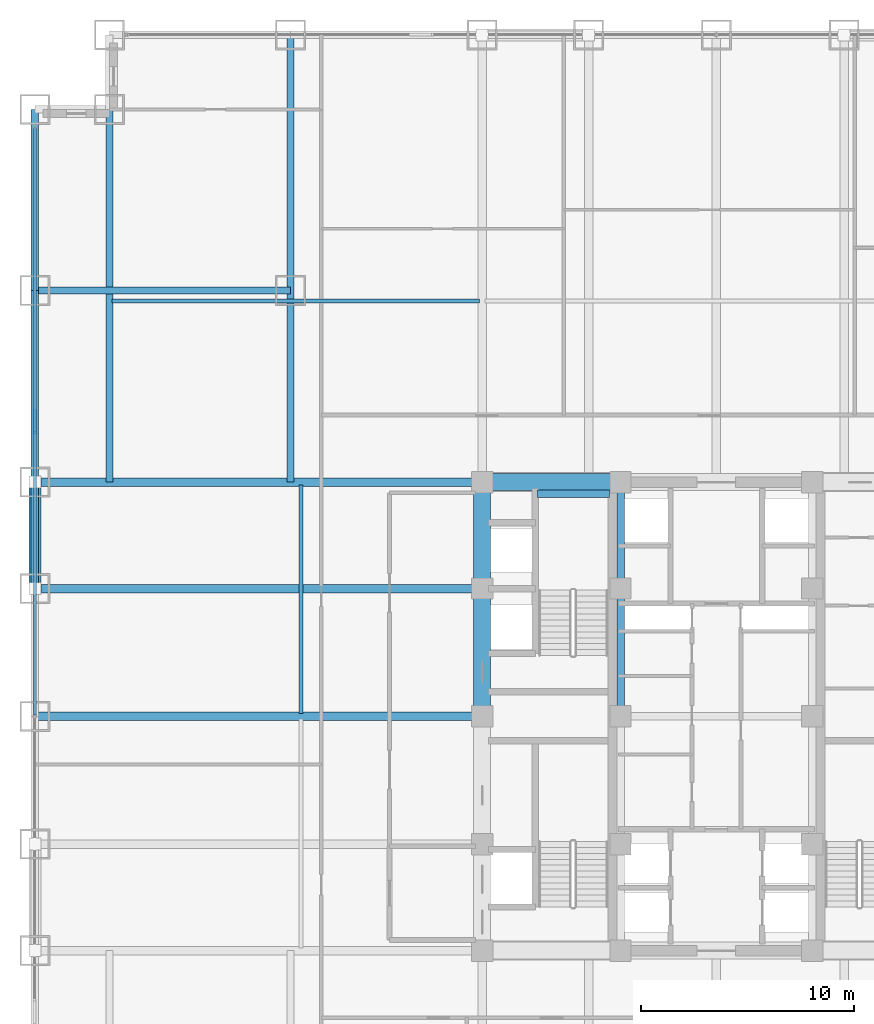
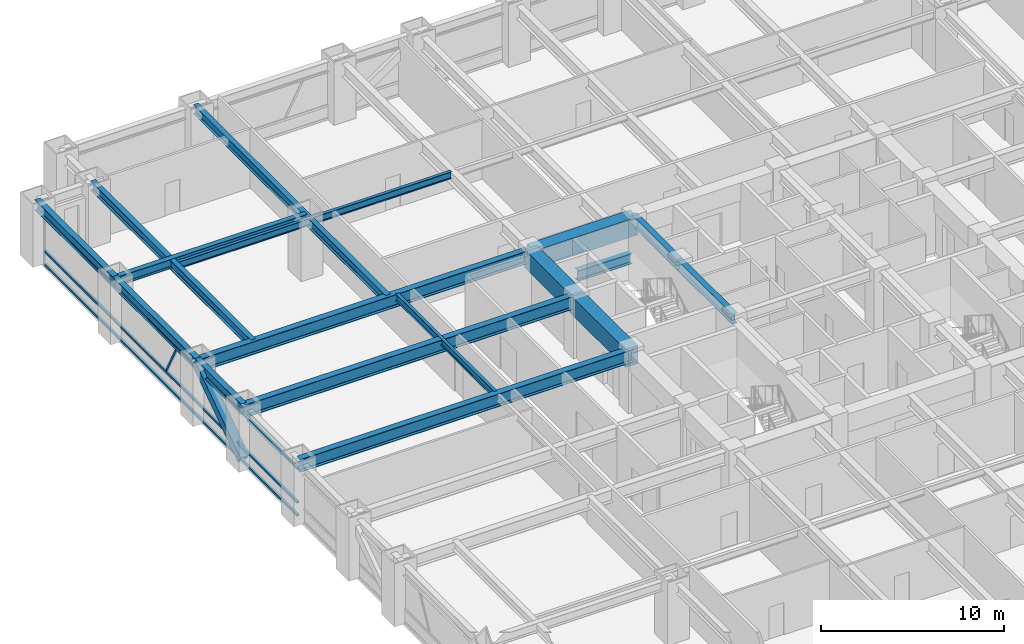
# One storey, part 9 of 28: 17 beams, 5 members, 1 element without a shape of its own.
"""IFC4 building model written with IfcOpenShell, lengths in metres."""

from ifc_helpers import new_model, si_unit, direction, frame, origin, origin_2d, place, context, subcontext, project, spatial, rectangle, hollow_rectangle, i_section, extrude, source, transform, mapped, material, material_profile, profile_set, type_object, element, aggregate, save


model = new_model("IFC4")

# Units and contexts
model_context = context("Model", 3, precision=1e-05, world=origin(), true_north=direction((0.0, 1.0)))
body_context = subcontext(model_context, "Body", "Model", "MODEL_VIEW")
ifc_project = project(units=[si_unit("LENGTHUNIT", "METRE"), si_unit("AREAUNIT", "SQUARE_METRE"), si_unit("VOLUMEUNIT", "CUBIC_METRE"), si_unit("PLANEANGLEUNIT", "RADIAN"), si_unit("MASSUNIT", "GRAM", prefix="KILO")], contexts=[model_context])

# Site, building, storey
site_placement = place(None, origin())
site = spatial("IfcSite", under=ifc_project, at=site_placement, CompositionType="ELEMENT")
building_placement = place(site_placement, origin())
building = spatial("IfcBuilding", under=site, at=building_placement, Name="Khorayat Bourse Tower", CompositionType="ELEMENT")
storey_placement = place(building_placement, frame((0.0, 0.0, 83.0)))
storey = spatial("IfcBuildingStorey", under=building, at=storey_placement, Name="L18", CompositionType="ELEMENT", Elevation=83.0)

# Beams
ifc_material_1 = material(Name="Concrete C72/90", Category="concrete")
ifc_material_profile_1 = material_profile(ifc_material_1, rectangle(XDim=0.800048828125, YDim=1.199951171875, at=origin_2d()), Name="RC 800x1200")
ifc_profile_set_1 = profile_set([ifc_material_profile_1], Name="Concrete C72/90")
beam_type_1 = type_object("IfcBeamType", Name="BM-COUP-1200", PredefinedType="BEAM", material=ifc_profile_set_1)
shared_shape_1 = source(origin(), body_context, "Body", "SweptSolid", [
    extrude(rectangle(XDim=0.800048828125, YDim=1.199951171875, at=origin_2d()), origin(), (0.0, 0.0, 1.0), 5.0),
])
beam_1_placement = place(storey_placement, frame((-11.0, 6.0, 3.340087890625), z_axis=(0.0, 1.0, 0.0), x_axis=(-1.0, 0.0, 0.0)))
element("IfcBeam", 1, at=beam_1_placement, inside=storey, type_object=beam_type_1, Name="L18 BM-COUP-1200 BM-L18-CRX-04", PredefinedType="BEAM", context=body_context, shape_type="MappedRepresentation", body=[
    mapped(shared_shape_1, transform((0.0, 0.0, 0.0), scale=1.0)),
])
shared_shape_2 = source(origin(), body_context, "Body", "SweptSolid", [
    extrude(rectangle(XDim=0.800048828125, YDim=1.199951171875, at=origin_2d()), origin(), (0.0, 0.0, 1.0), 6.0),
])
beam_2_placement = place(storey_placement, frame((-11.0, 0.0, 3.340087890625), z_axis=(0.0, 1.0, 0.0), x_axis=(-1.0, 0.0, 0.0)))
element("IfcBeam", 2, at=beam_2_placement, inside=storey, type_object=beam_type_1, Name="L18 BM-COUP-1200 BM-L18-CRX-03", PredefinedType="BEAM", context=body_context, shape_type="MappedRepresentation", body=[
    mapped(shared_shape_2, transform((0.0, 0.0, 0.0), scale=1.0)),
])
ifc_material_2 = material(Name="Steel ASTM A992 Grade 50", Category="steel")
ifc_material_profile_2 = material_profile(ifc_material_2, i_section(OverallWidth=0.35498046875, OverallDepth=0.695068359375, WebThickness=0.015380859375, FlangeThickness=0.02490234375, FilletRadius=0.01806640625, at=origin_2d()), Name="W690X217")
ifc_profile_set_2 = profile_set([ifc_material_profile_2], Name="Steel ASTM A992 Grade 50")
beam_type_2 = type_object("IfcBeamType", Name="BM-GIRD-690", PredefinedType="BEAM", material=ifc_profile_set_2)
shared_shape_3 = source(origin(), body_context, "Body", "SweptSolid", [
    extrude(i_section(OverallWidth=0.35498046875, OverallDepth=0.695068359375, WebThickness=0.015380859375, FlangeThickness=0.02490234375, FilletRadius=0.01806640625, at=origin_2d()), origin(), (0.0, 0.0, 1.0), 5.0),
])
beam_3_placement = place(storey_placement, frame((-4.5, 6.0, 3.592529296875), z_axis=(0.0, 1.0, 0.0), x_axis=(-1.0, 0.0, 0.0)))
element("IfcBeam", 3, at=beam_3_placement, inside=storey, type_object=beam_type_2, Name="L18 BM-GIRD-690 BM-L18-CRX-08", PredefinedType="BEAM", context=body_context, shape_type="MappedRepresentation", body=[
    mapped(shared_shape_3, transform((0.0, 0.0, 0.0), scale=1.0)),
])
shared_shape_4 = source(origin(), body_context, "Body", "SweptSolid", [
    extrude(i_section(OverallWidth=0.35498046875, OverallDepth=0.695068359375, WebThickness=0.015380859375, FlangeThickness=0.02490234375, FilletRadius=0.01806640625, at=origin_2d()), origin(), (0.0, 0.0, 1.0), 6.0),
])
beam_4_placement = place(storey_placement, frame((-4.5, 0.0, 3.592529296875), z_axis=(0.0, 1.0, 0.0), x_axis=(-1.0, 0.0, 0.0)))
element("IfcBeam", 4, at=beam_4_placement, inside=storey, type_object=beam_type_2, Name="L18 BM-GIRD-690 BM-L18-CRX-07", PredefinedType="BEAM", context=body_context, shape_type="MappedRepresentation", body=[
    mapped(shared_shape_4, transform((0.0, 0.0, 0.0), scale=1.0)),
])
shared_shape_5 = source(origin(), body_context, "Body", "SweptSolid", [
    extrude(rectangle(XDim=0.800048828125, YDim=1.199951171875, at=origin_2d()), origin(), (0.0, 0.0, 1.0), 6.5),
])
beam_5_placement = place(storey_placement, frame((-11.0, 11.0, 3.340087890625), z_axis=(1.0, 0.0, 0.0), x_axis=(0.0, 1.0, 0.0)))
element("IfcBeam", 5, at=beam_5_placement, inside=storey, type_object=beam_type_1, Name="L18 BM-COUP-1200 BM-L18-CRY-20", PredefinedType="BEAM", context=body_context, shape_type="MappedRepresentation", body=[
    mapped(shared_shape_5, transform((0.0, 0.0, 0.0), scale=1.0)),
])
shared_shape_6 = source(origin(), body_context, "Body", "SweptSolid", [
    extrude(i_section(OverallWidth=0.35498046875, OverallDepth=0.695068359375, WebThickness=0.015380859375, FlangeThickness=0.02490234375, FilletRadius=0.01806640625, at=origin_2d()), origin(), (0.0, 0.0, 1.0), 3.39990234375),
])
beam_6_placement = place(storey_placement, frame((-8.419921875, 10.449951171875, 1.552490234375), z_axis=(1.0, 0.0, 0.0), x_axis=(0.0, 1.0, 0.0)))
element("IfcBeam", 6, at=beam_6_placement, inside=storey, type_object=beam_type_2, Name="L18 BM-GIRD-690 BM-L18-ST2L", PredefinedType="BEAM", context=body_context, shape_type="MappedRepresentation", body=[
    mapped(shared_shape_6, transform((0.0, 0.0, 0.0), scale=1.0)),
])
ifc_material_profile_3 = material_profile(ifc_material_2, i_section(OverallWidth=0.35498046875, OverallDepth=0.695068359375, WebThickness=0.015380859375, FlangeThickness=0.02490234375, FilletRadius=0.01806640625, at=origin_2d()), Name="W690X217")
ifc_profile_set_3 = profile_set([ifc_material_profile_3], Name="Steel ASTM A992 Grade 50")
beam_type_3 = type_object("IfcBeamType", Name="BM-SPAN-690", PredefinedType="SPANDREL", material=ifc_profile_set_3)
shared_shape_7 = source(origin(), body_context, "Body", "SweptSolid", [
    extrude(i_section(OverallWidth=0.35498046875, OverallDepth=0.695068359375, WebThickness=0.015380859375, FlangeThickness=0.02490234375, FilletRadius=0.01806640625, at=origin_2d()), origin(), (0.0, 0.0, 1.0), 8.5),
])
beam_7_placement = place(storey_placement, frame((-32.0, 20.0, 3.592529296875), z_axis=(0.0, 1.0, 0.0), x_axis=(-1.0, 0.0, 0.0)))
element("IfcBeam", 7, at=beam_7_placement, inside=storey, type_object=beam_type_3, Name="L18 BM-SPAN-690 BM-L18-SPN-054", PredefinedType="SPANDREL", context=body_context, shape_type="MappedRepresentation", body=[
    mapped(shared_shape_7, transform((0.0, 0.0, 0.0), scale=1.0)),
])
shared_shape_8 = source(origin(), body_context, "Body", "SweptSolid", [
    extrude(i_section(OverallWidth=0.35498046875, OverallDepth=0.695068359375, WebThickness=0.015380859375, FlangeThickness=0.02490234375, FilletRadius=0.01806640625, at=origin_2d()), origin(), (0.0, 0.0, 1.0), 9.0),
])
beam_8_placement = place(storey_placement, frame((-32.0, 11.0, 3.592529296875), z_axis=(0.0, 1.0, 0.0), x_axis=(-1.0, 0.0, 0.0)))
element("IfcBeam", 8, at=beam_8_placement, inside=storey, type_object=beam_type_3, Name="L18 BM-SPAN-690 BM-L18-SPN-055", PredefinedType="SPANDREL", context=body_context, shape_type="MappedRepresentation", body=[
    mapped(shared_shape_8, transform((0.0, 0.0, 0.0), scale=1.0)),
])
shared_shape_9 = source(origin(), body_context, "Body", "SweptSolid", [
    extrude(i_section(OverallWidth=0.35498046875, OverallDepth=0.695068359375, WebThickness=0.015380859375, FlangeThickness=0.02490234375, FilletRadius=0.01806640625, at=origin_2d()), origin(), (0.0, 0.0, 1.0), 5.0),
])
beam_9_placement = place(storey_placement, frame((-32.0, 6.0, 3.592529296875), z_axis=(0.0, 1.0, 0.0), x_axis=(-1.0, 0.0, 0.0)))
element("IfcBeam", 9, at=beam_9_placement, inside=storey, type_object=beam_type_3, Name="L18 BM-SPAN-690 BM-L18-SPN-056", PredefinedType="SPANDREL", context=body_context, shape_type="MappedRepresentation", body=[
    mapped(shared_shape_9, transform((0.0, 0.0, 0.0), scale=1.0)),
])
ifc_material_profile_4 = material_profile(ifc_material_2, i_section(OverallWidth=0.39990234375, OverallDepth=0.85498046875, WebThickness=0.018310546875, FlangeThickness=0.029296875, FilletRadius=0.02001953125, at=origin_2d()), Name="W840X299")
ifc_profile_set_4 = profile_set([ifc_material_profile_4], Name="Steel ASTM A992 Grade 50")
beam_type_4 = type_object("IfcBeamType", Name="BM-GIRD-840", PredefinedType="BEAM", material=ifc_profile_set_4)
shared_shape_10 = source(origin(), body_context, "Body", "SweptSolid", [
    extrude(i_section(OverallWidth=0.39990234375, OverallDepth=0.85498046875, WebThickness=0.018310546875, FlangeThickness=0.029296875, FilletRadius=0.02001953125, at=origin_2d()), origin(), (0.0, 0.0, 1.0), 21.0),
])
for number, where, z_axis, x_axis, name in (
    (10, (-32.0, 0.0, 3.512451171875), (1.0, 0.0, 0.0), (0.0, 1.0, 0.0), "L18 BM-GIRD-840 BM-L18-RADX-079"),
    (11, (-32.0, 6.0, 3.512451171875), (1.0, 0.0, 0.0), (0.0, 1.0, 0.0), "L18 BM-GIRD-840 BM-L18-RADX-081"),
    (12, (-32.0, 11.0, 3.512451171875), (1.0, 0.0, 0.0), (0.0, 1.0, 0.0), "L18 BM-GIRD-840 BM-L18-RADX-083"),
):
    element("IfcBeam", number, at=place(storey_placement, frame(where, z_axis=z_axis, x_axis=x_axis)), inside=storey, type_object=beam_type_4, Name=name, PredefinedType="BEAM", context=body_context, shape_type="MappedRepresentation", body=[
        mapped(shared_shape_10, transform((0.0, 0.0, 0.0), scale=1.0)),
    ])
ifc_material_profile_5 = material_profile(ifc_material_2, i_section(OverallWidth=0.324951171875, OverallDepth=0.615966796875, WebThickness=0.013916015625, FlangeThickness=0.021484375, FilletRadius=0.01611328125, at=origin_2d()), Name="W610X174")
ifc_profile_set_5 = profile_set([ifc_material_profile_5], Name="Steel ASTM A992 Grade 50")
beam_type_5 = type_object("IfcBeamType", Name="BM-GIRD-610", PredefinedType="BEAM", material=ifc_profile_set_5)
shared_shape_11 = source(origin(), body_context, "Body", "SweptSolid", [
    extrude(i_section(OverallWidth=0.324951171875, OverallDepth=0.615966796875, WebThickness=0.013916015625, FlangeThickness=0.021484375, FilletRadius=0.01611328125, at=origin_2d()), origin(), (0.0, 0.0, 1.0), 21.0),
])
beam_10_placement = place(storey_placement, frame((-20.0, 11.0, 3.632080078125), z_axis=(0.0, 1.0, 0.0), x_axis=(-1.0, 0.0, 0.0)))
element("IfcBeam", 13, at=beam_10_placement, inside=storey, type_object=beam_type_5, Name="L18 BM-GIRD-610 BM-L18-CNRY-085", PredefinedType="BEAM", context=body_context, shape_type="MappedRepresentation", body=[
    mapped(shared_shape_11, transform((0.0, 0.0, 0.0), scale=1.0)),
])
shared_shape_12 = source(origin(), body_context, "Body", "SweptSolid", [
    extrude(i_section(OverallWidth=0.324951171875, OverallDepth=0.615966796875, WebThickness=0.013916015625, FlangeThickness=0.021484375, FilletRadius=0.01611328125, at=origin_2d()), origin(), (0.0, 0.0, 1.0), 17.5),
])
beam_11_placement = place(storey_placement, frame((-28.5, 11.0, 3.632080078125), z_axis=(0.0, 1.0, 0.0), x_axis=(-1.0, 0.0, 0.0)))
element("IfcBeam", 14, at=beam_11_placement, inside=storey, type_object=beam_type_5, Name="L18 BM-GIRD-610 BM-L18-CNRY-089", PredefinedType="BEAM", context=body_context, shape_type="MappedRepresentation", body=[
    mapped(shared_shape_12, transform((0.0, 0.0, 0.0), scale=1.0)),
])
shared_shape_13 = source(origin(), body_context, "Body", "SweptSolid", [
    extrude(i_section(OverallWidth=0.324951171875, OverallDepth=0.615966796875, WebThickness=0.013916015625, FlangeThickness=0.021484375, FilletRadius=0.01611328125, at=origin_2d()), origin(), (0.0, 0.0, 1.0), 12.0),
])
beam_12_placement = place(storey_placement, frame((-32.0, 20.0, 3.632080078125), z_axis=(1.0, 0.0, 0.0), x_axis=(0.0, 1.0, 0.0)))
element("IfcBeam", 15, at=beam_12_placement, inside=storey, type_object=beam_type_5, Name="L18 BM-GIRD-610 BM-L18-CNRX-095", PredefinedType="BEAM", context=body_context, shape_type="MappedRepresentation", body=[
    mapped(shared_shape_13, transform((0.0, 0.0, 0.0), scale=1.0)),
])
ifc_material_profile_6 = material_profile(ifc_material_2, i_section(OverallWidth=0.194091796875, OverallDepth=0.468994140625, WebThickness=0.0126953125, FlangeThickness=0.0205078125, FilletRadius=0.012939453125, at=origin_2d()), Name="W460X106")
ifc_profile_set_6 = profile_set([ifc_material_profile_6], Name="Steel ASTM A992 Grade 50")
beam_type_6 = type_object("IfcBeamType", Name="BM-JOIST-460", PredefinedType="JOIST", material=ifc_profile_set_6)
shared_shape_14 = source(origin(), body_context, "Body", "SweptSolid", [
    extrude(i_section(OverallWidth=0.194091796875, OverallDepth=0.468994140625, WebThickness=0.0126953125, FlangeThickness=0.0205078125, FilletRadius=0.012939453125, at=origin_2d()), origin(), (0.0, 0.0, 1.0), 17.240234375),
])
beam_13_placement = place(storey_placement, frame((-28.3701171875, 19.5, 3.70556640625), z_axis=(1.0, 0.0, 0.0), x_axis=(0.0, 1.0, 0.0)))
element("IfcBeam", 16, at=beam_13_placement, inside=storey, type_object=beam_type_6, Name="L18 BM-JOIST-460 BM-L18-JSTX-099", PredefinedType="JOIST", context=body_context, shape_type="MappedRepresentation", body=[
    mapped(shared_shape_14, transform((0.0, 0.0, 0.0), scale=1.0)),
])
shared_shape_15 = source(origin(), body_context, "Body", "SweptSolid", [
    extrude(i_section(OverallWidth=0.194091796875, OverallDepth=0.468994140625, WebThickness=0.0126953125, FlangeThickness=0.0205078125, FilletRadius=0.012939453125, at=origin_2d()), origin(), (0.0, 0.0, 1.0), 10.740234375),
])
beam_14_placement = place(storey_placement, frame((-19.5, 0.1298828125, 3.70556640625), z_axis=(0.0, 1.0, 0.0), x_axis=(-1.0, 0.0, 0.0)))
element("IfcBeam", 17, at=beam_14_placement, inside=storey, type_object=beam_type_6, Name="L18 BM-JOIST-460 BM-L18-JSTY-103", PredefinedType="JOIST", context=body_context, shape_type="MappedRepresentation", body=[
    mapped(shared_shape_15, transform((0.0, 0.0, 0.0), scale=1.0)),
])

# Member
ifc_material_3 = material(Name="Steel EN 10025-4 S460M", Category="steel")
ifc_material_profile_7 = material_profile(ifc_material_3, hollow_rectangle(XDim=0.550048828125, YDim=0.550048828125, WallThickness=0.031982421875, at=origin_2d()), Name="HSS 550x550x32")
ifc_profile_set_7 = profile_set([ifc_material_profile_7], Name="Steel EN 10025-4 S460M")
member_type_1 = type_object("IfcMemberType", Name="MBR-TUBE-550", PredefinedType="BRACE", material=ifc_profile_set_7)
shared_shape_16 = source(origin(), body_context, "Body", "SweptSolid", [
    extrude(hollow_rectangle(XDim=0.550048828125, YDim=0.550048828125, WallThickness=0.031982421875, at=origin_2d()), origin(), (0.0, 0.0, 1.0), 6.069091796875),
])
member_1_placement = place(storey_placement, frame((-32.0, 6.0, 0.25), z_axis=(0.0, 0.823854080622, 0.566801952928), x_axis=(-1.0, 0.0, 0.0)))
element("IfcMember", 18, at=member_1_placement, inside=storey, type_object=member_type_1, Name="L18 Perimeter Tube Brace 06", PredefinedType="BRACE", context=body_context, shape_type="MappedRepresentation", body=[
    mapped(shared_shape_16, transform((0.0, 0.0, 0.0), scale=1.0)),
])

# Curtain wall, members
ifc_material_4 = material(Name="Aluminium EN AW-6063 T6", Category="aluminium")
curtain_wall_type = type_object("IfcCurtainWallType", Name="CW-SYS-02", PredefinedType="NOTDEFINED", material=ifc_material_4)
curtain_wall_placement = place(storey_placement, origin())
curtain_wall = element("IfcCurtainWall", 19, at=curtain_wall_placement, inside=storey, type_object=curtain_wall_type, Name="L18 Curtain Wall CW-L18-W1", PredefinedType="NOTDEFINED")
ifc_material_profile_8 = material_profile(ifc_material_4, hollow_rectangle(XDim=0.1201171875, YDim=0.1201171875, WallThickness=0.0048828125, at=origin_2d()), Name="ALU 120x120x5")
ifc_profile_set_8 = profile_set([ifc_material_profile_8], Name="Aluminium EN AW-6063 T6")
member_type_2 = type_object("IfcMemberType", Name="CWM-DIAG-120", PredefinedType="MULLION", material=ifc_profile_set_8)
shared_shape_17 = source(origin(), body_context, "Body", "SweptSolid", [
    extrude(hollow_rectangle(XDim=0.1201171875, YDim=0.1201171875, WallThickness=0.0048828125, at=origin_2d()), origin(), (0.0, 0.0, 1.0), 2.22607421875),
])
member_2_placement = place(storey_placement, frame((-32.0, 14.3583984375, 1.10009765625), z_axis=(0.0, -0.465759992596, 0.884911085532), x_axis=(1.0, 0.0, 0.0)))
member_2 = element("IfcMember", 20, at=member_2_placement, type_object=member_type_2, Name="CW-L18-W1 Faceted Diagonal Mullion 2", PredefinedType="MULLION", context=body_context, shape_type="MappedRepresentation", body=[
    mapped(shared_shape_17, transform((0.0, 0.0, 0.0), scale=1.0)),
])
ifc_material_profile_9 = material_profile(ifc_material_4, hollow_rectangle(XDim=0.139892578125, YDim=0.139892578125, WallThickness=0.006103515625, at=origin_2d()), Name="ALU 140x140x6")
ifc_profile_set_9 = profile_set([ifc_material_profile_9], Name="Aluminium EN AW-6063 T6")
member_type_3 = type_object("IfcMemberType", Name="CWT-HORZ-140", PredefinedType="USERDEFINED", material=ifc_profile_set_9)
shared_shape_18 = source(origin(), body_context, "Body", "SweptSolid", [
    extrude(hollow_rectangle(XDim=0.139892578125, YDim=0.139892578125, WallThickness=0.006103515625, at=origin_2d()), origin(), (0.0, 0.0, 1.0), 27.5400390625),
])
member_3_placement = place(storey_placement, frame((-32.0, 0.070068359375, 0.070068359375), z_axis=(0.0, 1.0, 0.0), x_axis=(-1.0, 0.0, 0.0)))
member_3 = element("IfcMember", 21, at=member_3_placement, type_object=member_type_3, Name="CW-L18-W1 Horizontal Transom 2-1", ObjectType="TRANSOM", PredefinedType="USERDEFINED", context=body_context, shape_type="MappedRepresentation", body=[
    mapped(shared_shape_18, transform((0.0, 0.0, 0.0), scale=1.0)),
])
member_4_placement = place(storey_placement, frame((-32.0, 0.070068359375, 0.949951171875), z_axis=(0.0, 1.0, 0.0), x_axis=(-1.0, 0.0, 0.0)))
member_4 = element("IfcMember", 22, at=member_4_placement, type_object=member_type_3, Name="CW-L18-W1 Horizontal Transom 2-2", ObjectType="TRANSOM", PredefinedType="USERDEFINED", context=body_context, shape_type="MappedRepresentation", body=[
    mapped(shared_shape_18, transform((0.0, 0.0, 0.0), scale=1.0)),
])
member_5_placement = place(storey_placement, frame((-32.0, 0.070068359375, 3.219970703125), z_axis=(0.0, 1.0, 0.0), x_axis=(-1.0, 0.0, 0.0)))
member_5 = element("IfcMember", 23, at=member_5_placement, type_object=member_type_3, Name="CW-L18-W1 Horizontal Transom 2-3", ObjectType="TRANSOM", PredefinedType="USERDEFINED", context=body_context, shape_type="MappedRepresentation", body=[
    mapped(shared_shape_18, transform((0.0, 0.0, 0.0), scale=1.0)),
])
aggregate(curtain_wall, [member_3, member_4, member_5, member_2])

save(model, "model.ifc")
